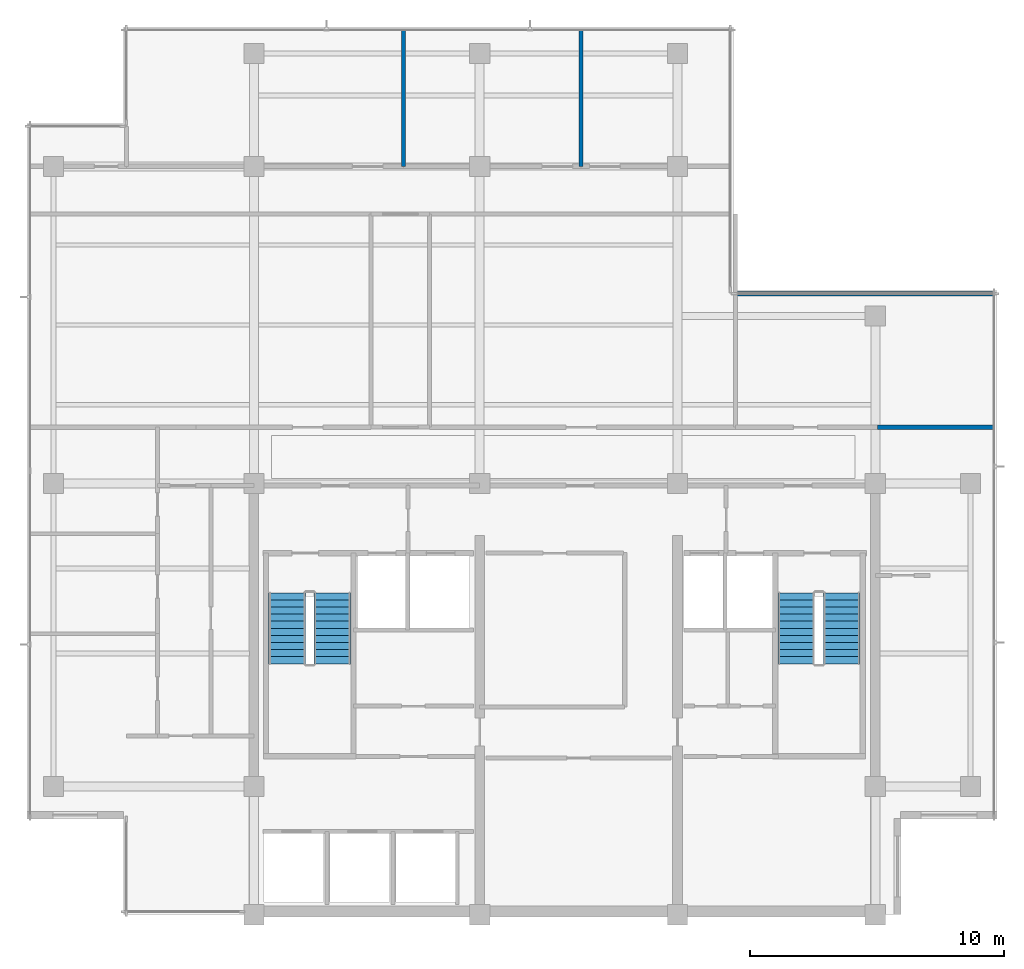
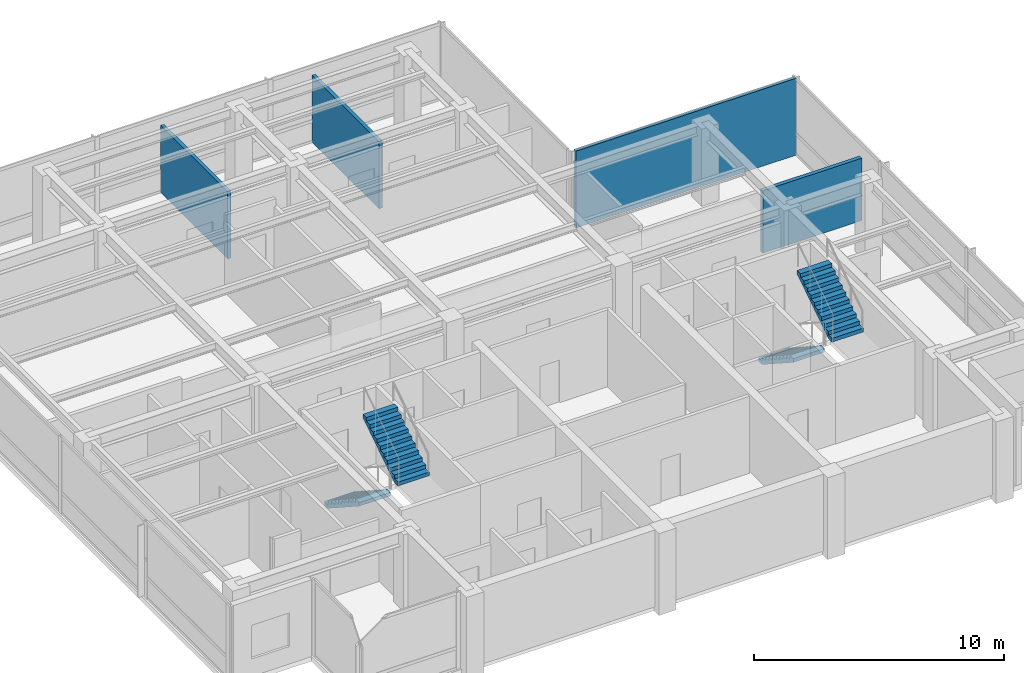
# One storey, part 8 of 11: 4 stair flights, 4 walls, 2 elements without a shape of their own.
"""IFC4 building model written with IfcOpenShell, lengths in metres."""

from ifc_helpers import new_model, si_unit, direction, frame, frame_2d, origin, place, context, subcontext, project, spatial, polyline, rectangle, outline, extrude, material, layer, layer_set, type_object, element, aggregate, save


model = new_model("IFC4")

# Units and contexts
model_context = context("Model", 3, precision=1e-05, world=origin(), true_north=direction((0.0, 1.0)))
body_context = subcontext(model_context, "Body", "Model", "MODEL_VIEW")
ifc_project = project(units=[si_unit("LENGTHUNIT", "METRE"), si_unit("AREAUNIT", "SQUARE_METRE"), si_unit("VOLUMEUNIT", "CUBIC_METRE"), si_unit("PLANEANGLEUNIT", "RADIAN"), si_unit("MASSUNIT", "GRAM", prefix="KILO")], contexts=[model_context])

# Site, building, storey
site_placement = place(None, origin())
site = spatial("IfcSite", under=ifc_project, at=site_placement, CompositionType="ELEMENT")
building_placement = place(site_placement, origin())
building = spatial("IfcBuilding", under=site, at=building_placement, Name="Qalmaran Belvedere Hotel", CompositionType="ELEMENT")
storey_placement = place(building_placement, frame((0.0, 0.0, 289.89990234375)))
storey = spatial("IfcBuildingStorey", under=building, at=storey_placement, Name="L75", CompositionType="ELEMENT", Elevation=289.89990234375)

# Walls
ifc_material_1 = material(Name="Gypsum Stud Partition")
ifc_layer_1 = layer(ifc_material_1, 0.159912109375, Name="Gypsum Stud Partition")
ifc_layer_set_1 = layer_set([ifc_layer_1], Name="Gypsum Stud Partition")
wall_type_1 = type_object("IfcWallType", Name="WL-INT-160-EI60", PredefinedType="PARTITIONING", material=ifc_layer_set_1)
wall_1_placement = place(storey_placement, frame((39.280029296875, 27.97998046875, 0.0), z_axis=(0.0, 0.0, 1.0), x_axis=(1.0, 0.0, 0.0)))
element("IfcWall", 1, at=wall_1_placement, inside=storey, type_object=wall_type_1, Name="L75 Partition WL-L75-SOMN", PredefinedType="PARTITIONING", context=body_context, shape_type="SweptSolid", body=[
    extrude(rectangle(XDim=10.199951171875, YDim=0.159912109375, at=frame_2d((5.10009765625, 0.0))), origin(), (0.0, 0.0, 1.0), 3.760009765625),
])
for number, where, z_axis, x_axis, name in (
    (2, (26.199951171875, 33.0, 0.0), (0.0, 0.0, 1.0), (0.0, 1.0, 0.0), "L75 Partition WL-L75-NFV1"),
    (3, (33.199951171875, 33.0, 0.0), (0.0, 0.0, 1.0), (0.0, 1.0, 0.0), "L75 Partition WL-L75-NFV2"),
):
    element("IfcWall", number, at=place(storey_placement, frame(where, z_axis=z_axis, x_axis=x_axis)), inside=storey, type_object=wall_type_1, Name=name, PredefinedType="PARTITIONING", context=body_context, shape_type="SweptSolid", body=[
        extrude(rectangle(XDim=5.3798828125, YDim=0.159912109375, at=frame_2d((2.68994140625, 0.0))), origin(), (0.0, 0.0, 1.0), 3.281982421875),
    ])
ifc_layer_2 = layer(ifc_material_1, 0.179931640625, Name="Gypsum Stud Partition")
ifc_layer_set_2 = layer_set([ifc_layer_2], Name="Gypsum Stud Partition")
wall_type_2 = type_object("IfcWallType", Name="WL-INT-180-EI60", PredefinedType="PARTITIONING", material=ifc_layer_set_2)
wall_2_placement = place(storey_placement, frame((44.8798828125, 22.719970703125, 0.0), z_axis=(0.0, 0.0, 1.0), x_axis=(1.0, 0.0, 0.0)))
element("IfcWall", 4, at=wall_2_placement, inside=storey, type_object=wall_type_2, Name="L75 Partition WL-L75-MCS2C", PredefinedType="PARTITIONING", context=body_context, shape_type="SweptSolid", body=[
    extrude(rectangle(XDim=4.60009765625, YDim=0.179931640625, at=frame_2d((2.300048828125, 0.0))), origin(), (0.0, 0.0, 1.0), 3.050048828125),
])

# Stair, stair flights
ifc_material_2 = material(Name="Concrete C40/50", Category="concrete")
stair_type_1 = type_object("IfcStairType", Name="STR-ST-1-1450-R1818", PredefinedType="HALF_TURN_STAIR", material=ifc_material_2)
stair_1_placement = place(storey_placement, origin())
stair_1 = element("IfcStair", 5, at=stair_1_placement, inside=storey, type_object=stair_type_1, Name="L75 West Core Exit Stair ST-1", PredefinedType="HALF_TURN_STAIR")
ifc_layer_3 = layer(ifc_material_2, 0.14990234375, Name="Concrete C40/50")
ifc_layer_set_3 = layer_set([ifc_layer_3], Name="Concrete C40/50")
stair_flight_type_1 = type_object("IfcStairFlightType", Name="STF-ST-1-1450-R1818", PredefinedType="STRAIGHT", material=ifc_layer_set_3)
stair_flight_1_placement = place(storey_placement, frame((21.60498046875, 16.18994140625, 0.0), z_axis=(0.0, 0.0, 1.0), x_axis=(0.0, -1.0, 0.0)))
stair_flight_1 = element("IfcStairFlight", 6, at=stair_flight_1_placement, type_object=stair_flight_type_1, Name="ST-1 flight 1", NumberOfRisers=11, NumberOfTreads=10, PredefinedType="STRAIGHT", RiserHeight=0.181818182, TreadLength=0.28, context=body_context, shape_type="SweptSolid", body=[
    extrude(outline(polyline([(0.0, 0.0), (0.0, 0.181884765625), (0.280029296875, 0.181884765625), (0.280029296875, 0.363525390625), (0.56005859375, 0.363525390625), (0.56005859375, 0.54541015625), (0.840087890625, 0.54541015625), (0.840087890625, 0.727294921875), (1.1201171875, 0.727294921875), (1.1201171875, 0.9091796875), (1.39990234375, 0.9091796875), (1.39990234375, 1.0908203125), (1.679931640625, 1.0908203125), (1.679931640625, 1.272705078125), (1.9599609375, 1.272705078125), (1.9599609375, 1.45458984375), (2.239990234375, 1.45458984375), (2.239990234375, 1.636474609375), (2.52001953125, 1.636474609375), (2.52001953125, 1.818115234375), (2.800048828125, 1.818115234375), (2.800048828125, 2.0), (2.800048828125, 1.639404296875), (0.275146484375, 0.0), (0.0, 0.0)])), frame((0.0, 0.72509765625, 0.0), z_axis=(0.0, -1.0, 0.0), x_axis=(1.0, 0.0, 0.0)), (0.0, 0.0, 1.0), 1.449951171875),
])
stair_flight_2_placement = place(storey_placement, frame((23.39501953125, 13.389892578125, 2.0), z_axis=(0.0, 0.0, 1.0), x_axis=(0.0, 1.0, 0.0)))
stair_flight_2 = element("IfcStairFlight", 7, at=stair_flight_2_placement, type_object=stair_flight_type_1, Name="ST-1 flight 2", NumberOfRisers=11, NumberOfTreads=10, PredefinedType="STRAIGHT", RiserHeight=0.181818182, TreadLength=0.28, context=body_context, shape_type="SweptSolid", body=[
    extrude(outline(polyline([(0.0, 0.0), (0.0, 0.181884765625), (0.280029296875, 0.181884765625), (0.280029296875, 0.363525390625), (0.56005859375, 0.363525390625), (0.56005859375, 0.54541015625), (0.840087890625, 0.54541015625), (0.840087890625, 0.727294921875), (1.1201171875, 0.727294921875), (1.1201171875, 0.9091796875), (1.39990234375, 0.9091796875), (1.39990234375, 1.0908203125), (1.679931640625, 1.0908203125), (1.679931640625, 1.272705078125), (1.9599609375, 1.272705078125), (1.9599609375, 1.45458984375), (2.239990234375, 1.45458984375), (2.239990234375, 1.636474609375), (2.52001953125, 1.636474609375), (2.52001953125, 1.818115234375), (2.800048828125, 1.818115234375), (2.800048828125, 2.0), (2.800048828125, 1.639404296875), (0.275146484375, 0.0), (0.0, 0.0)])), frame((0.0, 0.72509765625, 0.0), z_axis=(0.0, -1.0, 0.0), x_axis=(1.0, 0.0, 0.0)), (0.0, 0.0, 1.0), 1.449951171875),
])
aggregate(stair_1, [stair_flight_1, stair_flight_2])

stair_type_2 = type_object("IfcStairType", Name="STR-ST-2-1450-R1818", PredefinedType="HALF_TURN_STAIR", material=ifc_material_2)
stair_2_placement = place(storey_placement, origin())
stair_2 = element("IfcStair", 8, at=stair_2_placement, inside=storey, type_object=stair_type_2, Name="L75 East Core Exit Stair ST-2", PredefinedType="HALF_TURN_STAIR")
ifc_layer_4 = layer(ifc_material_2, 0.14990234375, Name="Concrete C40/50")
ifc_layer_set_4 = layer_set([ifc_layer_4], Name="Concrete C40/50")
stair_flight_type_2 = type_object("IfcStairFlightType", Name="STF-ST-2-1450-R1818", PredefinedType="STRAIGHT", material=ifc_layer_set_4)
stair_flight_3_placement = place(storey_placement, frame((41.68505859375, 16.18994140625, 0.0), z_axis=(0.0, 0.0, 1.0), x_axis=(0.0, -1.0, 0.0)))
stair_flight_3 = element("IfcStairFlight", 9, at=stair_flight_3_placement, type_object=stair_flight_type_2, Name="ST-2 flight 1", NumberOfRisers=11, NumberOfTreads=10, PredefinedType="STRAIGHT", RiserHeight=0.181818182, TreadLength=0.28, context=body_context, shape_type="SweptSolid", body=[
    extrude(outline(polyline([(0.0, 0.0), (0.0, 0.181884765625), (0.280029296875, 0.181884765625), (0.280029296875, 0.363525390625), (0.56005859375, 0.363525390625), (0.56005859375, 0.54541015625), (0.840087890625, 0.54541015625), (0.840087890625, 0.727294921875), (1.1201171875, 0.727294921875), (1.1201171875, 0.9091796875), (1.39990234375, 0.9091796875), (1.39990234375, 1.0908203125), (1.679931640625, 1.0908203125), (1.679931640625, 1.272705078125), (1.9599609375, 1.272705078125), (1.9599609375, 1.45458984375), (2.239990234375, 1.45458984375), (2.239990234375, 1.636474609375), (2.52001953125, 1.636474609375), (2.52001953125, 1.818115234375), (2.800048828125, 1.818115234375), (2.800048828125, 2.0), (2.800048828125, 1.639404296875), (0.275146484375, 0.0), (0.0, 0.0)])), frame((0.0, 0.72509765625, 0.0), z_axis=(0.0, -1.0, 0.0), x_axis=(1.0, 0.0, 0.0)), (0.0, 0.0, 1.0), 1.449951171875),
])
stair_flight_4_placement = place(storey_placement, frame((43.47509765625, 13.389892578125, 2.0), z_axis=(0.0, 0.0, 1.0), x_axis=(0.0, 1.0, 0.0)))
stair_flight_4 = element("IfcStairFlight", 10, at=stair_flight_4_placement, type_object=stair_flight_type_2, Name="ST-2 flight 2", NumberOfRisers=11, NumberOfTreads=10, PredefinedType="STRAIGHT", RiserHeight=0.181818182, TreadLength=0.28, context=body_context, shape_type="SweptSolid", body=[
    extrude(outline(polyline([(0.0, 0.0), (0.0, 0.181884765625), (0.280029296875, 0.181884765625), (0.280029296875, 0.363525390625), (0.56005859375, 0.363525390625), (0.56005859375, 0.54541015625), (0.840087890625, 0.54541015625), (0.840087890625, 0.727294921875), (1.1201171875, 0.727294921875), (1.1201171875, 0.9091796875), (1.39990234375, 0.9091796875), (1.39990234375, 1.0908203125), (1.679931640625, 1.0908203125), (1.679931640625, 1.272705078125), (1.9599609375, 1.272705078125), (1.9599609375, 1.45458984375), (2.239990234375, 1.45458984375), (2.239990234375, 1.636474609375), (2.52001953125, 1.636474609375), (2.52001953125, 1.818115234375), (2.800048828125, 1.818115234375), (2.800048828125, 2.0), (2.800048828125, 1.639404296875), (0.275146484375, 0.0), (0.0, 0.0)])), frame((0.0, 0.72509765625, 0.0), z_axis=(0.0, -1.0, 0.0), x_axis=(1.0, 0.0, 0.0)), (0.0, 0.0, 1.0), 1.449951171875),
])
aggregate(stair_2, [stair_flight_3, stair_flight_4])

save(model, "model.ifc")
